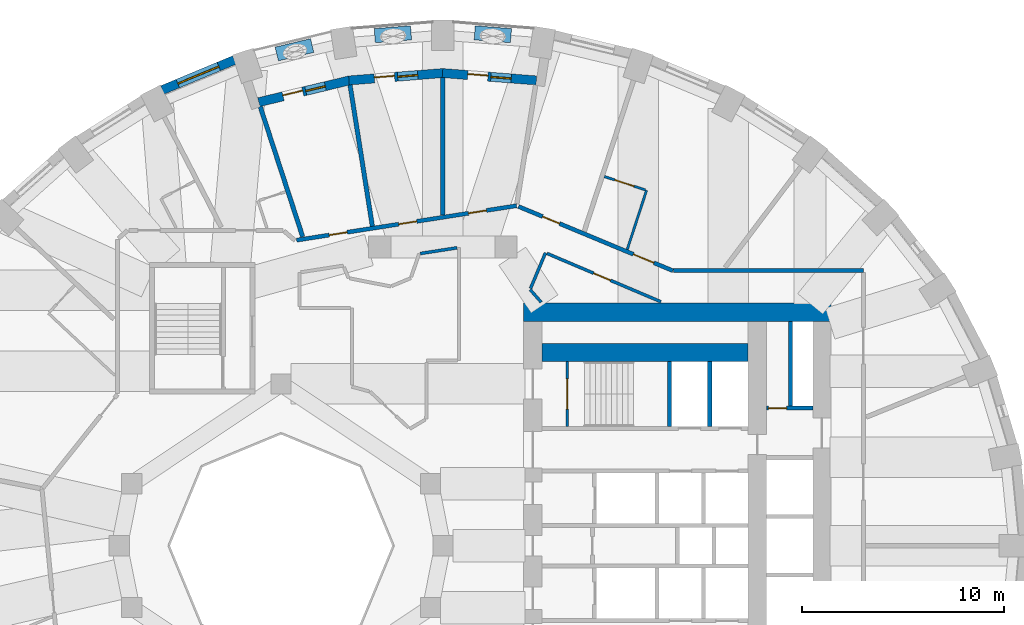
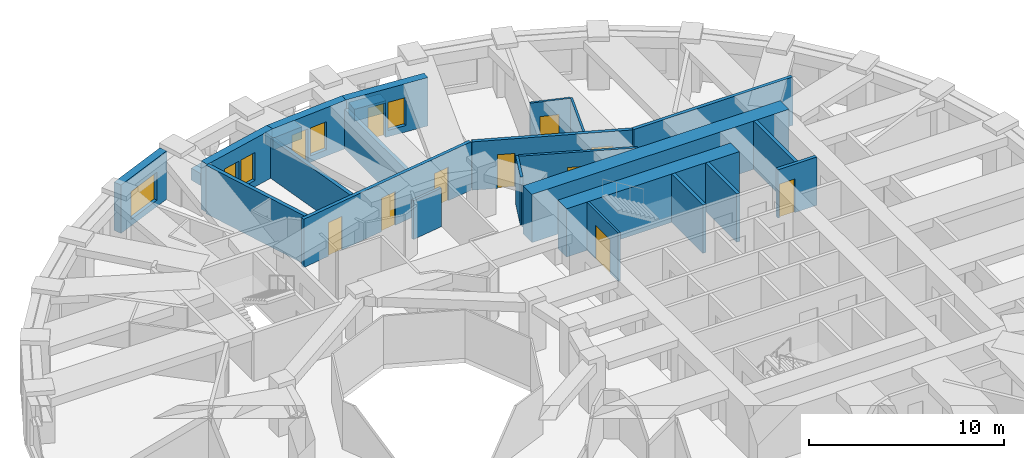
# One storey, part 8 of 13: 26 walls, 12 doors, 4 windows, 16 openings.
"""IFC4 building model written with IfcOpenShell, lengths in metres."""

import ifcopenshell
import ifcopenshell.guid

model = None  # the IFC model being written
_history = None  # IfcOwnerHistory: only IFC2X3 demands one
_inside = {}  # id of a spatial element -> (the spatial element, [elements in it])
_under = {}  # id of a project, library or spatial element -> (it, [spatial elements below it])
_declared = {}  # id of a project -> (the project, [libraries it declares])
_typed = {}  # id of a type object -> (the type object, [elements of that type])
_made_of = {}  # id of a material, layer set ... -> (it, [elements and type objects made of it])


def new_model(schema):
    """Start an empty IFC model of exactly this schema.

    Asked for "IFC4X3", IfcOpenShell would pick the latest addendum, in which some entities
    have other attributes; the version numbers below select the first issue.
    IFC2X3 requires an IfcOwnerHistory on every rooted entity: one is made here for all.
    """
    global model, _history
    if schema == "IFC4X3":
        model = ifcopenshell.file(schema_version=(4, 3, 0, 0))
    else:
        model = ifcopenshell.file(schema=schema)
    _inside.clear()
    _under.clear()
    _declared.clear()
    _typed.clear()
    _made_of.clear()
    _history = None
    if model.schema == "IFC2X3":
        org = make("IfcOrganization", Name="unknown")
        user = make(
            "IfcPersonAndOrganization",
            ThePerson=make("IfcPerson", FamilyName="unknown"),
            TheOrganization=org,
        )
        app = make(
            "IfcApplication",
            ApplicationDeveloper=org,
            Version="unknown",
            ApplicationFullName="unknown",
            ApplicationIdentifier="unknown",
        )
        _history = make(
            "IfcOwnerHistory",
            OwningUser=user,
            OwningApplication=app,
            ChangeAction="ADDED",
            CreationDate=0,
        )
    return model


def make(cls, **values):
    """One entity of the class cls with the attributes given. An attribute that is None is left unset."""
    return model.create_entity(
        cls, **{name: value for name, value in values.items() if value is not None}
    )


def rooted(cls, **values):
    """An entity with a GlobalId (a new one), such as an element, a storey or a relation."""
    return make(cls, GlobalId=ifcopenshell.guid.new(), OwnerHistory=_history, **values)


def si_unit(unit_type, name, prefix=None):
    """IfcSIUnit, for example si_unit("LENGTHUNIT", "METRE", prefix="MILLI")."""
    return make("IfcSIUnit", UnitType=unit_type, Prefix=prefix, Name=name)


def assignment(units):
    """IfcUnitAssignment: the units of a project."""
    return None if units is None else make("IfcUnitAssignment", Units=units)


def point(xyz):
    """IfcCartesianPoint."""
    return None if xyz is None else make("IfcCartesianPoint", Coordinates=xyz)


def direction(xyz):
    """IfcDirection."""
    return None if xyz is None else make("IfcDirection", DirectionRatios=xyz)


def frame(location, z_axis=None, x_axis=None):
    """IfcAxis2Placement3D, a coordinate frame: its origin and axes. An axis left out is left unset."""
    return make(
        "IfcAxis2Placement3D",
        Location=point(location),
        Axis=direction(z_axis),
        RefDirection=direction(x_axis),
    )


def frame_2d(location, x_axis=None):
    """IfcAxis2Placement2D, a coordinate frame in the plane: its origin and x axis."""
    return make(
        "IfcAxis2Placement2D", Location=point(location), RefDirection=direction(x_axis)
    )


def origin():
    """The frame at (0, 0, 0) with its axes left unset."""
    return frame((0.0, 0.0, 0.0))


def place(relative_to, where):
    """IfcLocalPlacement: puts the frame where relative to a parent placement (None: the world)."""
    return make(
        "IfcLocalPlacement", PlacementRelTo=relative_to, RelativePlacement=where
    )


def context(
    kind, dimensions, precision=None, world=None, true_north=None, identifier=None
):
    """IfcGeometricRepresentationContext, for example the 3D "Model" context."""
    return make(
        "IfcGeometricRepresentationContext",
        ContextIdentifier=identifier,
        ContextType=kind,
        CoordinateSpaceDimension=dimensions,
        Precision=precision,
        WorldCoordinateSystem=world,
        TrueNorth=true_north,
    )


def subcontext(parent, identifier, kind, view, scale=None):
    """IfcGeometricRepresentationSubContext, for example "Body" below "Model"."""
    return make(
        "IfcGeometricRepresentationSubContext",
        ContextIdentifier=identifier,
        ContextType=kind,
        ParentContext=parent,
        TargetScale=scale,
        TargetView=view,
    )


def project(units=None, contexts=None):
    """IfcProject with its units and contexts."""
    return rooted(
        "IfcProject",
        Name="project",
        RepresentationContexts=contexts,
        UnitsInContext=assignment(units),
    )


def spatial(cls, under=None, at=None, **own):
    """A site, building, storey or space (cls), placed at a placement, below another one or the project."""
    s = rooted(cls, ObjectPlacement=at, **own)
    if under is not None:
        _under.setdefault(under.id(), (under, []))[1].append(s)
    return s


def profile(cls, at=None, kind="AREA", **sizes):
    """A parametric profile (cls). Its sizes go by their IFC names, for example OverallWidth=200.0."""
    return make(cls, ProfileType=kind, Position=at, **sizes)


def rectangle(**sizes):
    """IfcRectangleProfileDef."""
    return profile("IfcRectangleProfileDef", **sizes)


def extrude(swept, where, along, depth):
    """IfcExtrudedAreaSolid: the profile swept, set in the frame where, extruded along a direction by depth."""
    return make(
        "IfcExtrudedAreaSolid",
        SweptArea=swept,
        Position=where,
        ExtrudedDirection=direction(along),
        Depth=depth,
    )


def shape(context_of_items, identifier, shape_type, items):
    """IfcShapeRepresentation: the items that make up one representation, for example the "Body"."""
    return make(
        "IfcShapeRepresentation",
        ContextOfItems=context_of_items,
        RepresentationIdentifier=identifier,
        RepresentationType=shape_type,
        Items=items,
    )


def material(Name=None, Category=None):
    """IfcMaterial."""
    return make("IfcMaterial", Name=Name, Category=Category)


def layer(
    of_material, thickness, ventilated=None, Name=None, Category=None, Priority=None
):
    """IfcMaterialLayer: one layer of a wall or slab, of a material (None: an air gap)."""
    return make(
        "IfcMaterialLayer",
        Material=of_material,
        LayerThickness=thickness,
        IsVentilated=ventilated,
        Name=Name,
        Category=Category,
        Priority=Priority,
    )


def layer_set(layers, Name=None):
    """IfcMaterialLayerSet."""
    return make("IfcMaterialLayerSet", MaterialLayers=layers, LayerSetName=Name)


def constituent(of_material, Name=None, Category=None, fraction=None):
    """IfcMaterialConstituent: one of the materials an element consists of."""
    return make(
        "IfcMaterialConstituent",
        Name=Name,
        Material=of_material,
        Fraction=fraction,
        Category=Category,
    )


def constituent_set(constituents=None, Name=None):
    """IfcMaterialConstituentSet."""
    return make(
        "IfcMaterialConstituentSet", Name=Name, MaterialConstituents=constituents
    )


def made_of(thing, what):
    """Note that an element or type object is made of a material, layer set ...; save() writes the relation."""
    if what is not None:
        _made_of.setdefault(what.id(), (what, []))[1].append(thing)
    return thing


def type_object(cls, material=None, **own):
    """A type object (cls), such as IfcWallType, which elements share."""
    return made_of(rooted(cls, **own), material)


def element(
    cls,
    number,
    at=None,
    inside=None,
    cuts=None,
    type_object=None,
    material=None,
    context=None,
    identifier="Body",
    shape_type=None,
    held_by="IfcProductDefinitionShape",
    body=None,
    shapes=None,
    **own,
):
    """One element of the class cls, such as IfcWall. Its Tag is "e" and its number.

    at: its placement. inside: the storey or other place that contains it. cuts: it is an
    opening in that element (IfcRelVoidsElement). A single representation is given by context,
    identifier, shape_type and body (its items); several are given by shapes. held_by: the class
    of the entity that holds the representations. save() writes the other relations.
    """
    e = rooted(cls, Tag="e%d" % number, ObjectPlacement=at, **own)
    if body is not None:
        shapes = [shape(context, identifier, shape_type, body)]
    if shapes is not None:
        e.Representation = make(held_by, Representations=shapes)
    if inside is not None:
        _inside.setdefault(inside.id(), (inside, []))[1].append(e)
    if cuts is not None:
        rooted(
            "IfcRelVoidsElement", RelatingBuildingElement=cuts, RelatedOpeningElement=e
        )
    if type_object is not None:
        _typed.setdefault(type_object.id(), (type_object, []))[1].append(e)
    return made_of(e, material)


def fill(opening, filler):
    """IfcRelFillsElement: the door or window that sits in an opening."""
    return rooted(
        "IfcRelFillsElement",
        RelatingOpeningElement=opening,
        RelatedBuildingElement=filler,
    )


def aggregate(whole, parts):
    """IfcRelAggregates: a whole, such as a stair, and the parts it consists of."""
    return rooted("IfcRelAggregates", RelatingObject=whole, RelatedObjects=parts)


def save(model, path):
    """Write the relations noted so far, then the file.

    IfcRelAggregates (storeys below a building ...), IfcRelContainedInSpatialStructure (elements
    in a storey), IfcRelDefinesByType, IfcRelAssociatesMaterial and IfcRelDeclares: one each for
    every whole, place, type object, material and project.
    """
    for whole, parts in _under.values():
        aggregate(whole, parts)
    for where, things in _inside.values():
        rooted(
            "IfcRelContainedInSpatialStructure",
            RelatedElements=things,
            RelatingStructure=where,
        )
    for kind, things in _typed.values():
        rooted("IfcRelDefinesByType", RelatedObjects=things, RelatingType=kind)
    for what, things in _made_of.values():
        rooted("IfcRelAssociatesMaterial", RelatedObjects=things, RelatingMaterial=what)
    for by, libraries in _declared.values():
        rooted("IfcRelDeclares", RelatingContext=by, RelatedDefinitions=libraries)
    model.write(path)


model = new_model("IFC4")

# Units and contexts
model_context = context("Model", 3, precision=1e-05, world=origin(), true_north=direction((0.0, 1.0)))
body_context = subcontext(model_context, "Body", "Model", "MODEL_VIEW")
ifc_project = project(units=[si_unit("LENGTHUNIT", "METRE"), si_unit("AREAUNIT", "SQUARE_METRE"), si_unit("VOLUMEUNIT", "CUBIC_METRE"), si_unit("PLANEANGLEUNIT", "RADIAN"), si_unit("MASSUNIT", "GRAM", prefix="KILO")], contexts=[model_context])

# Site, building, storey
site_placement = place(None, origin())
site = spatial("IfcSite", under=ifc_project, at=site_placement, CompositionType="ELEMENT")
building_placement = place(site_placement, origin())
building = spatial("IfcBuilding", under=site, at=building_placement, Name="Taillehof Tower", CompositionType="ELEMENT")
storey_placement = place(building_placement, frame((0.0, 0.0, 54.699951171875)))
storey = spatial("IfcBuildingStorey", under=building, at=storey_placement, Name="L14", CompositionType="ELEMENT", Elevation=54.699951171875)

# Wall, opening, window
ifc_material_1 = material(Name="Brick masonry", Category="masonry")
ifc_layer_1 = layer(ifc_material_1, 0.449951171875)
ifc_layer_set_1 = layer_set([ifc_layer_1], Name="Brick infill wall 450")
wall_type_1 = type_object("IfcWallType", Name="Brick infill wall 450", PredefinedType="SOLIDWALL", material=ifc_layer_set_1)
wall_1_placement = place(storey_placement, frame((-10.3154296875, 24.02099609375, 0.0), z_axis=(0.0, 0.0, 1.0), x_axis=(-0.923031964282, -0.384723267966, 0.0)))
wall_1 = element("IfcWall", 1, at=wall_1_placement, inside=storey, type_object=wall_type_1, Name="Brick wall L14 bay 12", PredefinedType="SOLIDWALL", context=body_context, shape_type="SweptSolid", body=[
    extrude(rectangle(XDim=3.8564453125, YDim=0.449951171875, at=frame_2d((1.92822265625, 0.0))), origin(), (0.0, 0.0, 1.0), 3.02001953125),
])
opening_1_placement = place(wall_1_placement, frame((0.828125, 0.0, 0.39990234375)))
opening_1 = element("IfcOpeningElement", 2, at=opening_1_placement, cuts=wall_1, Name="Opening W1", PredefinedType="OPENING", context=body_context, shape_type="SweptSolid", body=[
    extrude(rectangle(XDim=2.199951171875, YDim=1.75, at=frame_2d((1.10009765625, 0.875))), frame((0.0, 0.23486328125, 0.0), z_axis=(0.0, -1.0, 0.0), x_axis=(1.0, 0.0, 0.0)), (0.0, 0.0, 1.0), 0.469970703125),
])
ifc_material_2 = material(Name="Aluminium window frame with clear double glazing", Category="aluminium")
window_type_1 = type_object("IfcWindowType", Name="Deep-set window 2200x1750", PartitioningType="SINGLE_PANEL", PredefinedType="WINDOW", material=ifc_material_2)
window_1_placement = place(opening_1_placement, origin())
window_1 = element("IfcWindow", 3, at=window_1_placement, inside=storey, type_object=window_type_1, Name="W1", OverallHeight=1.75, OverallWidth=2.199951171875, PartitioningType="SINGLE_PANEL", PredefinedType="WINDOW", context=body_context, shape_type="SweptSolid", body=[
    extrude(rectangle(XDim=2.199951171875, YDim=1.75, at=frame_2d((1.10009765625, 0.875))), frame((0.0, 0.034912109375, 0.0), z_axis=(0.0, -1.0, 0.0), x_axis=(1.0, 0.0, 0.0)), (0.0, 0.0, 1.0), 0.06005859375),
])
fill(opening_1, window_1)

# Wall, openings, door, window
wall_2_placement = place(storey_placement, frame((4.625732421875, 23.011474609375, 0.0), z_axis=(0.0, 0.0, 1.0), x_axis=(-0.996937095772, 0.078207589615, 0.0)))
wall_2 = element("IfcWall", 4, at=wall_2_placement, inside=storey, type_object=wall_type_1, Name="Brick wall L14 pocket bay 9", PredefinedType="SOLIDWALL", context=body_context, shape_type="SweptSolid", body=[
    extrude(rectangle(XDim=4.657470703125, YDim=0.449951171875, at=frame_2d((2.32861328125, 0.0))), origin(), (0.0, 0.0, 1.0), 3.02001953125),
])
opening_2_placement = place(wall_2_placement, frame((1.25390625, 0.0, 0.39990234375)))
opening_2 = element("IfcOpeningElement", 5, at=opening_2_placement, cuts=wall_2, Name="Opening W5", PredefinedType="OPENING", context=body_context, shape_type="SweptSolid", body=[
    extrude(rectangle(XDim=1.0, YDim=1.75, at=frame_2d((0.5, 0.875))), frame((0.0, 0.23486328125, 0.0), z_axis=(0.0, -1.0, 0.0), x_axis=(1.0, 0.0, 0.0)), (0.0, 0.0, 1.0), 0.469970703125),
])
opening_3_placement = place(wall_2_placement, frame((2.40380859375, 0.0, 0.0)))
opening_3 = element("IfcOpeningElement", 6, at=opening_3_placement, cuts=wall_2, Name="Opening D1491", PredefinedType="OPENING", context=body_context, shape_type="SweptSolid", body=[
    extrude(rectangle(XDim=1.0, YDim=2.14990234375, at=frame_2d((0.5, 1.074951171875))), frame((0.0, 0.23486328125, 0.0), z_axis=(0.0, -1.0, 0.0), x_axis=(1.0, 0.0, 0.0)), (0.0, 0.0, 1.0), 0.469970703125),
])
ifc_material_3 = material(Name="Aluminium door frame with clear double glazing", Category="aluminium")
door_type_1 = type_object("IfcDoorType", Name="Balcony door 1000x2150", OperationType="SINGLE_SWING_RIGHT", PredefinedType="DOOR", material=ifc_material_3)
door_1_placement = place(opening_3_placement, frame((1.0, 0.0, 0.0), z_axis=(0.0, 0.0, 1.0), x_axis=(-1.0, 0.0, 0.0)))
door_1 = element("IfcDoor", 7, at=door_1_placement, inside=storey, type_object=door_type_1, Name="Balcony door L14 bay 9", OperationType="SINGLE_SWING_RIGHT", OverallHeight=2.14990234375, OverallWidth=1.0, PredefinedType="DOOR", context=body_context, shape_type="SweptSolid", body=[
    extrude(rectangle(XDim=1.0, YDim=2.14990234375, at=frame_2d((0.5, 1.074951171875))), frame((0.0, 0.0751953125, 0.0), z_axis=(0.0, -1.0, 0.0), x_axis=(1.0, 0.0, 0.0)), (0.0, 0.0, 1.0), 0.050048828125),
])
fill(opening_3, door_1)
ifc_material_4 = material(Name="Aluminium window frame with clear double glazing", Category="aluminium")
window_type_2 = type_object("IfcWindowType", Name="Fixed window 1000x1750", PartitioningType="SINGLE_PANEL", PredefinedType="WINDOW", material=ifc_material_4)
window_2_placement = place(opening_2_placement, origin())
window_2 = element("IfcWindow", 8, at=window_2_placement, inside=storey, type_object=window_type_2, Name="W5", OverallHeight=1.75, OverallWidth=1.0, PartitioningType="SINGLE_PANEL", PredefinedType="WINDOW", context=body_context, shape_type="SweptSolid", body=[
    extrude(rectangle(XDim=1.0, YDim=1.75, at=frame_2d((0.5, 0.875))), frame((0.0, 0.034912109375, 0.0), z_axis=(0.0, -1.0, 0.0), x_axis=(1.0, 0.0, 0.0)), (0.0, 0.0, 1.0), 0.06005859375),
])
fill(opening_2, window_2)

wall_3_placement = place(storey_placement, frame((0.017578125, 23.375732421875, 0.0), z_axis=(0.0, 0.0, 1.0), x_axis=(-0.996935982964, -0.078221773648, 0.0)))
wall_3 = element("IfcWall", 9, at=wall_3_placement, inside=storey, type_object=wall_type_1, Name="Brick wall L14 pocket bay 10", PredefinedType="SOLIDWALL", context=body_context, shape_type="SweptSolid", body=[
    extrude(rectangle(XDim=4.675537109375, YDim=0.449951171875, at=frame_2d((2.337890625, 0.0))), origin(), (0.0, 0.0, 1.0), 3.02001953125),
])
opening_4_placement = place(wall_3_placement, frame((1.2626953125, 0.0, 0.39990234375)))
opening_4 = element("IfcOpeningElement", 10, at=opening_4_placement, cuts=wall_3, Name="Opening W5", PredefinedType="OPENING", context=body_context, shape_type="SweptSolid", body=[
    extrude(rectangle(XDim=1.0, YDim=1.75, at=frame_2d((0.5, 0.875))), frame((0.0, 0.23486328125, 0.0), z_axis=(0.0, -1.0, 0.0), x_axis=(1.0, 0.0, 0.0)), (0.0, 0.0, 1.0), 0.469970703125),
])
opening_5_placement = place(wall_3_placement, frame((2.41259765625, 0.0, 0.0)))
opening_5 = element("IfcOpeningElement", 11, at=opening_5_placement, cuts=wall_3, Name="Opening D1492", PredefinedType="OPENING", context=body_context, shape_type="SweptSolid", body=[
    extrude(rectangle(XDim=1.0, YDim=2.14990234375, at=frame_2d((0.5, 1.074951171875))), frame((0.0, 0.23486328125, 0.0), z_axis=(0.0, -1.0, 0.0), x_axis=(1.0, 0.0, 0.0)), (0.0, 0.0, 1.0), 0.469970703125),
])
door_2_placement = place(opening_5_placement, frame((1.0, 0.0, 0.0), z_axis=(0.0, 0.0, 1.0), x_axis=(-1.0, 0.0, 0.0)))
door_2 = element("IfcDoor", 12, at=door_2_placement, inside=storey, type_object=door_type_1, Name="Balcony door L14 bay 10", OperationType="SINGLE_SWING_LEFT", OverallHeight=2.14990234375, OverallWidth=1.0, PredefinedType="DOOR", context=body_context, shape_type="SweptSolid", body=[
    extrude(rectangle(XDim=1.0, YDim=2.14990234375, at=frame_2d((0.5, 1.074951171875))), frame((0.0, 0.0751953125, 0.0), z_axis=(0.0, -1.0, 0.0), x_axis=(1.0, 0.0, 0.0)), (0.0, 0.0, 1.0), 0.050048828125),
])
fill(opening_5, door_2)
window_3_placement = place(opening_4_placement, origin())
window_3 = element("IfcWindow", 13, at=window_3_placement, inside=storey, type_object=window_type_2, Name="W5", OverallHeight=1.75, OverallWidth=1.0, PartitioningType="SINGLE_PANEL", PredefinedType="WINDOW", context=body_context, shape_type="SweptSolid", body=[
    extrude(rectangle(XDim=1.0, YDim=1.75, at=frame_2d((0.5, 0.875))), frame((0.0, 0.034912109375, 0.0), z_axis=(0.0, -1.0, 0.0), x_axis=(1.0, 0.0, 0.0)), (0.0, 0.0, 1.0), 0.06005859375),
])
fill(opening_4, window_3)

wall_4_placement = place(storey_placement, frame((-4.6083984375, 23.015625, 0.0), z_axis=(0.0, 0.0, 1.0), x_axis=(-0.972343667289, -0.233554688847, 0.0)))
wall_4 = element("IfcWall", 14, at=wall_4_placement, inside=storey, type_object=wall_type_1, Name="Brick wall L14 pocket bay 11", PredefinedType="SOLIDWALL", context=body_context, shape_type="SweptSolid", body=[
    extrude(rectangle(XDim=4.62353515625, YDim=0.449951171875, at=frame_2d((2.311767578125, 0.0))), origin(), (0.0, 0.0, 1.0), 3.02001953125),
])
opening_6_placement = place(wall_4_placement, frame((1.23681640625, 0.0, 0.39990234375)))
opening_6 = element("IfcOpeningElement", 15, at=opening_6_placement, cuts=wall_4, Name="Opening W5", PredefinedType="OPENING", context=body_context, shape_type="SweptSolid", body=[
    extrude(rectangle(XDim=1.0, YDim=1.75, at=frame_2d((0.5, 0.875))), frame((0.0, 0.23486328125, 0.0), z_axis=(0.0, -1.0, 0.0), x_axis=(1.0, 0.0, 0.0)), (0.0, 0.0, 1.0), 0.469970703125),
])
opening_7_placement = place(wall_4_placement, frame((2.38671875, 0.0, 0.0)))
opening_7 = element("IfcOpeningElement", 16, at=opening_7_placement, cuts=wall_4, Name="Opening D1493", PredefinedType="OPENING", context=body_context, shape_type="SweptSolid", body=[
    extrude(rectangle(XDim=1.0, YDim=2.14990234375, at=frame_2d((0.5, 1.074951171875))), frame((0.0, 0.23486328125, 0.0), z_axis=(0.0, -1.0, 0.0), x_axis=(1.0, 0.0, 0.0)), (0.0, 0.0, 1.0), 0.469970703125),
])
door_3_placement = place(opening_7_placement, frame((1.0, 0.0, 0.0), z_axis=(0.0, 0.0, 1.0), x_axis=(-1.0, 0.0, 0.0)))
door_3 = element("IfcDoor", 17, at=door_3_placement, inside=storey, type_object=door_type_1, Name="Balcony door L14 bay 11", OperationType="SINGLE_SWING_LEFT", OverallHeight=2.14990234375, OverallWidth=1.0, PredefinedType="DOOR", context=body_context, shape_type="SweptSolid", body=[
    extrude(rectangle(XDim=1.0, YDim=2.14990234375, at=frame_2d((0.5, 1.074951171875))), frame((0.0, 0.0751953125, 0.0), z_axis=(0.0, -1.0, 0.0), x_axis=(1.0, 0.0, 0.0)), (0.0, 0.0, 1.0), 0.050048828125),
])
fill(opening_7, door_3)
window_4_placement = place(opening_6_placement, origin())
window_4 = element("IfcWindow", 18, at=window_4_placement, inside=storey, type_object=window_type_2, Name="W5", OverallHeight=1.75, OverallWidth=1.0, PartitioningType="SINGLE_PANEL", PredefinedType="WINDOW", context=body_context, shape_type="SweptSolid", body=[
    extrude(rectangle(XDim=1.0, YDim=1.75, at=frame_2d((0.5, 0.875))), frame((0.0, 0.034912109375, 0.0), z_axis=(0.0, -1.0, 0.0), x_axis=(1.0, 0.0, 0.0)), (0.0, 0.0, 1.0), 0.06005859375),
])
fill(opening_6, window_4)

# Wall, opening, door
ifc_material_5 = material(Name="Calcium silicate masonry", Category="masonry")
ifc_layer_2 = layer(ifc_material_5, 0.199951171875)
ifc_layer_set_2 = layer_set([ifc_layer_2], Name="Compartment wall calcium silicate 200")
wall_type_2 = type_object("IfcWallType", Name="Compartment wall calcium silicate 200", PredefinedType="PARTITIONING", material=ifc_layer_set_2)
wall_5_placement = place(storey_placement, frame((16.0, 6.800048828125, 0.0), z_axis=(0.0, 0.0, 1.0), x_axis=(1.0, 0.0, 0.0)))
wall_5 = element("IfcWall", 19, at=wall_5_placement, inside=storey, type_object=wall_type_2, Name="Compartment wall FW", PredefinedType="PARTITIONING", context=body_context, shape_type="SweptSolid", body=[
    extrude(rectangle(XDim=2.300048828125, YDim=0.199951171875, at=frame_2d((1.14990234375, 0.0))), origin(), (0.0, 0.0, 1.0), 3.02001953125),
])
opening_8_placement = place(wall_5_placement, frame((0.10009765625, 0.0, 0.0)))
opening_8 = element("IfcOpeningElement", 20, at=opening_8_placement, cuts=wall_5, Name="Opening D1416", PredefinedType="OPENING", context=body_context, shape_type="SweptSolid", body=[
    extrude(rectangle(XDim=0.89990234375, YDim=2.10009765625, at=frame_2d((0.449951171875, 1.050048828125))), frame((0.0, 0.10986328125, 0.0), z_axis=(0.0, -1.0, 0.0), x_axis=(1.0, 0.0, 0.0)), (0.0, 0.0, 1.0), 0.219970703125),
])
ifc_material_6 = material(Name="Steel-faced fire door", Category="steel")
door_type_2 = type_object("IfcDoorType", Name="Riser and service room door 900x2100", OperationType="SINGLE_SWING_LEFT", PredefinedType="DOOR", material=ifc_material_6)
door_4_placement = place(opening_8_placement, origin())
door_4 = element("IfcDoor", 21, at=door_4_placement, inside=storey, type_object=door_type_2, Name="Door Pump Room", OperationType="SINGLE_SWING_RIGHT", OverallHeight=2.10009765625, OverallWidth=0.89990234375, PredefinedType="DOOR", context=body_context, shape_type="SweptSolid", body=[
    extrude(rectangle(XDim=0.89990234375, YDim=2.10009765625, at=frame_2d((0.449951171875, 1.050048828125))), frame((0.0, 0.02490234375, 0.0), z_axis=(0.0, -1.0, 0.0), x_axis=(1.0, 0.0, 0.0)), (0.0, 0.0, 1.0), 0.050048828125),
])
fill(opening_8, door_4)

# Wall
wall_6_placement = place(storey_placement, frame((17.199951171875, 6.89990234375, 0.0), z_axis=(0.0, 0.0, 1.0), x_axis=(0.0, 1.0, 0.0)))
element("IfcWall", 22, at=wall_6_placement, inside=storey, type_object=wall_type_2, Name="Compartment wall FW", PredefinedType="PARTITIONING", context=body_context, shape_type="SweptSolid", body=[
    extrude(rectangle(XDim=4.2001953125, YDim=0.199951171875, at=frame_2d((2.10009765625, 0.0))), origin(), (0.0, 0.0, 1.0), 3.02001953125),
])

# Wall, openings, doors
ifc_material_7 = material(Name="Gypsum board on steel studs, two layers each side", Category="steel")
ifc_layer_3 = layer(ifc_material_7, 0.199951171875)
ifc_layer_set_3 = layer_set([ifc_layer_3], Name="Compartment wall corridor 200")
wall_type_3 = type_object("IfcWallType", Name="Compartment wall corridor 200", PredefinedType="PARTITIONING", material=ifc_layer_set_3)
wall_7_placement = place(storey_placement, frame((-7.233642578125, 15.1103515625, 0.0), z_axis=(0.0, 0.0, 1.0), x_axis=(0.987957763282, 0.154723811906, 0.0)))
wall_7 = element("IfcWall", 23, at=wall_7_placement, inside=storey, type_object=wall_type_3, Name="Compartment wall", PredefinedType="PARTITIONING", context=body_context, shape_type="SweptSolid", body=[
    extrude(rectangle(XDim=11.01220703125, YDim=0.199951171875, at=frame_2d((5.506103515625, 0.0))), origin(), (0.0, 0.0, 1.0), 3.02001953125),
])
opening_9_placement = place(wall_7_placement, frame((8.604736328125, 0.0, 0.0)))
opening_9 = element("IfcOpeningElement", 24, at=opening_9_placement, cuts=wall_7, Name="Opening D1443", PredefinedType="OPENING", context=body_context, shape_type="SweptSolid", body=[
    extrude(rectangle(XDim=0.89990234375, YDim=2.10009765625, at=frame_2d((0.449951171875, 1.050048828125))), frame((0.0, 0.10986328125, 0.0), z_axis=(0.0, -1.0, 0.0), x_axis=(1.0, 0.0, 0.0)), (0.0, 0.0, 1.0), 0.219970703125),
])
opening_10_placement = place(wall_7_placement, frame((5.11572265625, 0.0, 0.0)))
opening_10 = element("IfcOpeningElement", 25, at=opening_10_placement, cuts=wall_7, Name="Opening D1444", PredefinedType="OPENING", context=body_context, shape_type="SweptSolid", body=[
    extrude(rectangle(XDim=0.89990234375, YDim=2.10009765625, at=frame_2d((0.449951171875, 1.050048828125))), frame((0.0, 0.10986328125, 0.0), z_axis=(0.0, -1.0, 0.0), x_axis=(1.0, 0.0, 0.0)), (0.0, 0.0, 1.0), 0.219970703125),
])
opening_11_placement = place(wall_7_placement, frame((1.62646484375, 0.0, 0.0)))
opening_11 = element("IfcOpeningElement", 26, at=opening_11_placement, cuts=wall_7, Name="Opening D1445", PredefinedType="OPENING", context=body_context, shape_type="SweptSolid", body=[
    extrude(rectangle(XDim=0.89990234375, YDim=2.10009765625, at=frame_2d((0.449951171875, 1.050048828125))), frame((0.0, 0.10986328125, 0.0), z_axis=(0.0, -1.0, 0.0), x_axis=(1.0, 0.0, 0.0)), (0.0, 0.0, 1.0), 0.219970703125),
])
ifc_material_8 = material(Name="Timber door leaf in steel frame", Category="steel")
door_type_3 = type_object("IfcDoorType", Name="Service room door EI 30 900 x 2100", OperationType="SINGLE_SWING_LEFT", PredefinedType="DOOR", material=ifc_material_8)
door_5_placement = place(opening_9_placement, origin())
door_5 = element("IfcDoor", 27, at=door_5_placement, inside=storey, type_object=door_type_3, Name="D1443", OperationType="SINGLE_SWING_LEFT", OverallHeight=2.10009765625, OverallWidth=0.89990234375, PredefinedType="DOOR", context=body_context, shape_type="SweptSolid", body=[
    extrude(rectangle(XDim=0.89990234375, YDim=2.10009765625, at=frame_2d((0.449951171875, 1.050048828125))), frame((0.0, 0.02490234375, 0.0), z_axis=(0.0, -1.0, 0.0), x_axis=(1.0, 0.0, 0.0)), (0.0, 0.0, 1.0), 0.050048828125),
])
fill(opening_9, door_5)
door_6_placement = place(opening_10_placement, origin())
door_6 = element("IfcDoor", 28, at=door_6_placement, inside=storey, type_object=door_type_3, Name="D1444", OperationType="SINGLE_SWING_LEFT", OverallHeight=2.10009765625, OverallWidth=0.89990234375, PredefinedType="DOOR", context=body_context, shape_type="SweptSolid", body=[
    extrude(rectangle(XDim=0.89990234375, YDim=2.10009765625, at=frame_2d((0.449951171875, 1.050048828125))), frame((0.0, 0.02490234375, 0.0), z_axis=(0.0, -1.0, 0.0), x_axis=(1.0, 0.0, 0.0)), (0.0, 0.0, 1.0), 0.050048828125),
])
fill(opening_10, door_6)
door_7_placement = place(opening_11_placement, origin())
door_7 = element("IfcDoor", 29, at=door_7_placement, inside=storey, type_object=door_type_3, Name="D1445", OperationType="SINGLE_SWING_RIGHT", OverallHeight=2.10009765625, OverallWidth=0.89990234375, PredefinedType="DOOR", context=body_context, shape_type="SweptSolid", body=[
    extrude(rectangle(XDim=0.89990234375, YDim=2.10009765625, at=frame_2d((0.449951171875, 1.050048828125))), frame((0.0, 0.02490234375, 0.0), z_axis=(0.0, -1.0, 0.0), x_axis=(1.0, 0.0, 0.0)), (0.0, 0.0, 1.0), 0.050048828125),
])
fill(opening_11, door_7)

wall_8_placement = place(storey_placement, frame((3.73876953125, 16.7763671875, 0.0), z_axis=(0.0, 0.0, 1.0), x_axis=(0.923364778497, -0.383923802117, 0.0)))
wall_8 = element("IfcWall", 30, at=wall_8_placement, inside=storey, type_object=wall_type_3, Name="Compartment wall", PredefinedType="PARTITIONING", context=body_context, shape_type="SweptSolid", body=[
    extrude(rectangle(XDim=8.273193359375, YDim=0.199951171875, at=frame_2d((4.13671875, 0.0))), origin(), (0.0, 0.0, 1.0), 3.02001953125),
])
opening_12_placement = place(wall_8_placement, frame((6.152587890625, 0.0, 0.0)))
opening_12 = element("IfcOpeningElement", 31, at=opening_12_placement, cuts=wall_8, Name="Opening D1440", PredefinedType="OPENING", context=body_context, shape_type="SweptSolid", body=[
    extrude(rectangle(XDim=1.10009765625, YDim=2.10009765625, at=frame_2d((0.550048828125, 1.050048828125))), frame((0.0, 0.10986328125, 0.0), z_axis=(0.0, -1.0, 0.0), x_axis=(1.0, 0.0, 0.0)), (0.0, 0.0, 1.0), 0.219970703125),
])
opening_13_placement = place(wall_8_placement, frame((1.2978515625, 0.0, 0.0)))
opening_13 = element("IfcOpeningElement", 32, at=opening_13_placement, cuts=wall_8, Name="Opening D1442", PredefinedType="OPENING", context=body_context, shape_type="SweptSolid", body=[
    extrude(rectangle(XDim=0.89990234375, YDim=2.10009765625, at=frame_2d((0.449951171875, 1.050048828125))), frame((0.0, 0.10986328125, 0.0), z_axis=(0.0, -1.0, 0.0), x_axis=(1.0, 0.0, 0.0)), (0.0, 0.0, 1.0), 0.219970703125),
])
ifc_material_9 = material(Name="Timber door leaf in steel frame", Category="steel")
door_type_4 = type_object("IfcDoorType", Name="Accessible guest room door EI 30 1100 x 2100", OperationType="SINGLE_SWING_LEFT", PredefinedType="DOOR", material=ifc_material_9)
door_8_placement = place(opening_12_placement, origin())
door_8 = element("IfcDoor", 33, at=door_8_placement, inside=storey, type_object=door_type_4, Name="D1440", OperationType="SINGLE_SWING_LEFT", OverallHeight=2.10009765625, OverallWidth=1.10009765625, PredefinedType="DOOR", context=body_context, shape_type="SweptSolid", body=[
    extrude(rectangle(XDim=1.10009765625, YDim=2.10009765625, at=frame_2d((0.550048828125, 1.050048828125))), frame((0.0, 0.02490234375, 0.0), z_axis=(0.0, -1.0, 0.0), x_axis=(1.0, 0.0, 0.0)), (0.0, 0.0, 1.0), 0.050048828125),
])
fill(opening_12, door_8)
door_9_placement = place(opening_13_placement, origin())
door_9 = element("IfcDoor", 34, at=door_9_placement, inside=storey, type_object=door_type_3, Name="D1442", OperationType="SINGLE_SWING_RIGHT", OverallHeight=2.10009765625, OverallWidth=0.89990234375, PredefinedType="DOOR", context=body_context, shape_type="SweptSolid", body=[
    extrude(rectangle(XDim=0.89990234375, YDim=2.10009765625, at=frame_2d((0.449951171875, 1.050048828125))), frame((0.0, 0.02490234375, 0.0), z_axis=(0.0, -1.0, 0.0), x_axis=(1.0, 0.0, 0.0)), (0.0, 0.0, 1.0), 0.050048828125),
])
fill(opening_13, door_9)

# Walls
wall_9_placement = place(storey_placement, frame((11.41796875, 13.60009765625, 0.0), z_axis=(0.0, 0.0, 1.0), x_axis=(1.0, 0.0, 0.0)))
element("IfcWall", 35, at=wall_9_placement, inside=storey, type_object=wall_type_3, Name="Compartment wall", PredefinedType="PARTITIONING", context=body_context, shape_type="SweptSolid", body=[
    extrude(rectangle(XDim=9.382080078125, YDim=0.199951171875, at=frame_2d((4.69091796875, 0.0))), origin(), (0.0, 0.0, 1.0), 3.02001953125),
])
ifc_material_10 = material(Name="Gypsum board on double steel studs with mineral wool", Category="steel")
ifc_layer_4 = layer(ifc_material_10, 0.219970703125)
ifc_layer_set_4 = layer_set([ifc_layer_4], Name="Compartment wall guest room 220")
wall_type_4 = type_object("IfcWallType", Name="Compartment wall guest room 220", PredefinedType="PARTITIONING", material=ifc_layer_set_4)
wall_10_placement = place(storey_placement, frame((0.0, 23.148681640625, 0.0), z_axis=(0.0, 0.0, 1.0), x_axis=(0.0, -1.0, 0.0)))
element("IfcWall", 36, at=wall_10_placement, inside=storey, type_object=wall_type_4, Name="Compartment wall", PredefinedType="PARTITIONING", context=body_context, shape_type="SweptSolid", body=[
    extrude(rectangle(XDim=6.784423828125, YDim=0.219970703125, at=frame_2d((3.39208984375, 0.0))), origin(), (0.0, 0.0, 1.0), 2.469970703125),
])
wall_11_placement = place(storey_placement, frame((-4.590576171875, 22.78857421875, 0.0), z_axis=(0.0, 0.0, 1.0), x_axis=(0.15613617795, -0.987735538459, 0.0)))
element("IfcWall", 37, at=wall_11_placement, inside=storey, type_object=wall_type_4, Name="Compartment wall", PredefinedType="PARTITIONING", context=body_context, shape_type="SweptSolid", body=[
    extrude(rectangle(XDim=7.0771484375, YDim=0.219970703125, at=frame_2d((3.53857421875, 0.0))), origin(), (0.0, 0.0, 1.0), 2.469970703125),
])
wall_12_placement = place(storey_placement, frame((-9.033935546875, 21.72119140625, 0.0), z_axis=(0.0, 0.0, 1.0), x_axis=(0.310212430052, -0.950667264736, 0.0)))
element("IfcWall", 38, at=wall_12_placement, inside=storey, type_object=wall_type_4, Name="Compartment wall", PredefinedType="PARTITIONING", context=body_context, shape_type="SweptSolid", body=[
    extrude(rectangle(XDim=6.77685546875, YDim=0.219970703125, at=frame_2d((3.388427734375, 0.0))), origin(), (0.0, 0.0, 1.0), 3.02001953125),
])
ifc_material_11 = material(Name="Gypsum board on steel studs, two layers each side", Category="steel")
ifc_layer_5 = layer(ifc_material_11, 0.14990234375)
ifc_layer_set_5 = layer_set([ifc_layer_5], Name="Compartment wall service room 150")
wall_type_5 = type_object("IfcWallType", Name="Compartment wall service room 150", PredefinedType="PARTITIONING", material=ifc_layer_set_5)
wall_13_placement = place(storey_placement, frame((-1.116455078125, 14.448974609375, 0.0), z_axis=(0.0, 0.0, 1.0), x_axis=(0.988017726025, 0.154340445315, 0.0)))
element("IfcWall", 39, at=wall_13_placement, inside=storey, type_object=wall_type_5, Name="Compartment wall", PredefinedType="PARTITIONING", context=body_context, shape_type="SweptSolid", body=[
    extrude(rectangle(XDim=1.839599609375, YDim=0.14990234375, at=frame_2d((0.919921875, 0.0))), origin(), (0.0, 0.0, 1.0), 2.420166015625),
])
wall_14_placement = place(storey_placement, frame((4.864501953125, 12.04150390625, 0.0), z_axis=(0.0, 0.0, 1.0), x_axis=(-0.660014599896, 0.751252772323, 0.0)))
element("IfcWall", 40, at=wall_14_placement, inside=storey, type_object=wall_type_5, Name="Compartment wall", PredefinedType="PARTITIONING", context=body_context, shape_type="SweptSolid", body=[
    extrude(rectangle(XDim=0.8349609375, YDim=0.14990234375, at=frame_2d((0.41748046875, 0.0))), origin(), (0.0, 0.0, 1.0), 2.570068359375),
])
wall_15_placement = place(storey_placement, frame((4.3369140625, 12.724365234375, 0.0), z_axis=(0.0, 0.0, 1.0), x_axis=(0.386537433901, 0.922273718694, 0.0)))
element("IfcWall", 41, at=wall_15_placement, inside=storey, type_object=wall_type_5, Name="Compartment wall", PredefinedType="PARTITIONING", context=body_context, shape_type="SweptSolid", body=[
    extrude(rectangle(XDim=1.9111328125, YDim=0.14990234375, at=frame_2d((0.95556640625, 0.0))), origin(), (0.0, 0.0, 1.0), 3.02001953125),
])

# Wall, opening, door
wall_16_placement = place(storey_placement, frame((5.14892578125, 14.455810546875, 0.0), z_axis=(0.0, 0.0, 1.0), x_axis=(0.920541383735, -0.390645057348, 0.0)))
wall_16 = element("IfcWall", 42, at=wall_16_placement, inside=storey, type_object=wall_type_5, Name="Compartment wall", PredefinedType="PARTITIONING", context=body_context, shape_type="SweptSolid", body=[
    extrude(rectangle(XDim=6.1240234375, YDim=0.14990234375, at=frame_2d((3.06201171875, 0.0))), origin(), (0.0, 0.0, 1.0), 3.02001953125),
])
opening_14_placement = place(wall_16_placement, frame((2.508056640625, 0.0, 0.0)))
opening_14 = element("IfcOpeningElement", 43, at=opening_14_placement, cuts=wall_16, Name="Opening D1469", PredefinedType="OPENING", context=body_context, shape_type="SweptSolid", body=[
    extrude(rectangle(XDim=0.89990234375, YDim=2.10009765625, at=frame_2d((0.449951171875, 1.050048828125))), frame((0.0, 0.0849609375, 0.0), z_axis=(0.0, -1.0, 0.0), x_axis=(1.0, 0.0, 0.0)), (0.0, 0.0, 1.0), 0.169921875),
])
door_10_placement = place(opening_14_placement, origin())
door_10 = element("IfcDoor", 44, at=door_10_placement, inside=storey, type_object=door_type_3, Name="D1469", OperationType="SINGLE_SWING_RIGHT", OverallHeight=2.10009765625, OverallWidth=0.89990234375, PredefinedType="DOOR", context=body_context, shape_type="SweptSolid", body=[
    extrude(rectangle(XDim=0.89990234375, YDim=2.10009765625, at=frame_2d((0.449951171875, 1.050048828125))), frame((0.0, 0.02490234375, 0.0), z_axis=(0.0, -1.0, 0.0), x_axis=(1.0, 0.0, 0.0)), (0.0, 0.0, 1.0), 0.050048828125),
])
fill(opening_14, door_10)

# Walls
ifc_material_12 = material(Name="Concrete C80/95", Category="concrete")
ifc_layer_6 = layer(ifc_material_12, 0.89990234375)
ifc_layer_set_6 = layer_set([ifc_layer_6], Name="Core wall C80/95 900")
wall_type_6 = type_object("IfcWallType", Name="Core wall C80/95 900", PredefinedType="SHEAR", material=ifc_layer_set_6)
wall_17_placement = place(storey_placement, frame((4.0, 11.550048828125, 0.0), z_axis=(0.0, 0.0, 1.0), x_axis=(1.0, 0.0, 0.0)))
element("IfcWall", 45, at=wall_17_placement, inside=storey, type_object=wall_type_6, Name="Core wall CW03", PredefinedType="SHEAR", context=body_context, shape_type="SweptSolid", body=[
    extrude(rectangle(XDim=15.199951171875, YDim=0.89990234375, at=frame_2d((7.60009765625, 0.0))), origin(), (0.0, 0.0, 1.0), 3.02001953125),
])
wall_18_placement = place(storey_placement, frame((4.89990234375, 9.550048828125, 0.0), z_axis=(0.0, 0.0, 1.0), x_axis=(1.0, 0.0, 0.0)))
element("IfcWall", 46, at=wall_18_placement, inside=storey, type_object=wall_type_6, Name="Core wall CW06", PredefinedType="SHEAR", context=body_context, shape_type="SweptSolid", body=[
    extrude(rectangle(XDim=10.2001953125, YDim=0.89990234375, at=frame_2d((5.10009765625, 0.0))), origin(), (0.0, 0.0, 1.0), 3.02001953125),
])
ifc_material_13 = material(Name="Gypsum board on steel studs, moisture resistant", Category="steel")
ifc_layer_7 = layer(ifc_material_13, 0.1201171875)
ifc_layer_set_7 = layer_set([ifc_layer_7], Name="En-suite wall 120")
wall_type_7 = type_object("IfcWallType", Name="En-suite wall 120", PredefinedType="PARTITIONING", material=ifc_layer_set_7)
wall_19_placement = place(storey_placement, frame((9.118408203125, 14.647705078125, 0.0), z_axis=(0.0, 0.0, 1.0), x_axis=(0.310277544614, 0.950646014723, 0.0)))
element("IfcWall", 47, at=wall_19_placement, inside=storey, type_object=wall_type_7, Name="En-suite wall", PredefinedType="PARTITIONING", context=body_context, shape_type="SweptSolid", body=[
    extrude(rectangle(XDim=3.08056640625, YDim=0.1201171875, at=frame_2d((1.540283203125, 0.0))), origin(), (0.0, 0.0, 1.0), 3.02001953125),
])

# Wall, opening, door
wall_20_placement = place(storey_placement, frame((10.01708984375, 17.594482421875, 0.0), z_axis=(0.0, 0.0, 1.0), x_axis=(-0.950613738429, 0.310376417129, 0.0)))
wall_20 = element("IfcWall", 48, at=wall_20_placement, inside=storey, type_object=wall_type_7, Name="En-suite wall", PredefinedType="PARTITIONING", context=body_context, shape_type="SweptSolid", body=[
    extrude(rectangle(XDim=2.130126953125, YDim=0.1201171875, at=frame_2d((1.06494140625, 0.0))), origin(), (0.0, 0.0, 1.0), 3.02001953125),
])
opening_15_placement = place(wall_20_placement, frame((0.590087890625, 0.0, 0.0)))
opening_15 = element("IfcOpeningElement", 49, at=opening_15_placement, cuts=wall_20, Name="Opening D1441", PredefinedType="OPENING", context=body_context, shape_type="SweptSolid", body=[
    extrude(rectangle(XDim=1.0, YDim=2.10009765625, at=frame_2d((0.5, 1.050048828125))), frame((0.0, 0.070068359375, 0.0), z_axis=(0.0, -1.0, 0.0), x_axis=(1.0, 0.0, 0.0)), (0.0, 0.0, 1.0), 0.14013671875),
])
ifc_material_14 = material(Name="Timber door leaf in steel frame", Category="steel")
door_type_5 = type_object("IfcDoorType", Name="Accessible en-suite door 1000 x 2100", OperationType="SINGLE_SWING_LEFT", PredefinedType="DOOR", material=ifc_material_14)
door_11_placement = place(opening_15_placement, origin())
door_11 = element("IfcDoor", 50, at=door_11_placement, inside=storey, type_object=door_type_5, Name="D1441", OperationType="SINGLE_SWING_LEFT", OverallHeight=2.10009765625, OverallWidth=1.0, PredefinedType="DOOR", context=body_context, shape_type="SweptSolid", body=[
    extrude(rectangle(XDim=1.0, YDim=2.10009765625, at=frame_2d((0.5, 1.050048828125))), frame((0.0, 0.02490234375, 0.0), z_axis=(0.0, -1.0, 0.0), x_axis=(1.0, 0.0, 0.0)), (0.0, 0.0, 1.0), 0.050048828125),
])
fill(opening_15, door_11)

# Walls
ifc_material_15 = material(Name="Concrete C30/37 precast", Category="concrete")
ifc_constituent_1 = constituent(ifc_material_15, Name="Structure", Category="concrete")
ifc_material_16 = material(Name="Insulated lining")
ifc_constituent_2 = constituent(ifc_material_16, Name="Lining")
ifc_constituent_set = constituent_set(constituents=[ifc_constituent_1, ifc_constituent_2], Name="Planter trough 700x750")
wall_type_8 = type_object("IfcWallType", Name="Planter trough 700x750", PredefinedType="USERDEFINED", material=ifc_constituent_set)
for number, where, z_axis, x_axis, name in (
    (51, (3.368896484375, 25.22509765625, 0.0), (0.0, 0.0, 1.0), (-0.996965267018, 0.077847648384, 0.0), "Planter L14 bay 9"),
    (52, (-1.57421875, 25.365234375, 0.0), (0.0, 0.0, 1.0), (-0.996965267018, -0.077847648384, 0.0), "Planter L14 bay 10"),
    (53, (-6.464599609375, 24.7373046875, 0.0), (0.0, 0.0, 1.0), (-0.972504142103, -0.232885580473, 0.0), "Planter L14 bay 11"),
):
    element("IfcWall", number, at=place(storey_placement, frame(where, z_axis=z_axis, x_axis=x_axis)), inside=storey, type_object=wall_type_8, Name=name, ObjectType="PLANTER", PredefinedType="USERDEFINED", context=body_context, shape_type="SweptSolid", body=[
        extrude(rectangle(XDim=1.800048828125, YDim=0.699951171875, at=frame_2d((0.89990234375, 0.0))), origin(), (0.0, 0.0, 1.0), 0.75),
    ])
ifc_material_17 = material(Name="Concrete C50/60", Category="concrete")
ifc_layer_8 = layer(ifc_material_17, 0.199951171875)
ifc_layer_set_8 = layer_set([ifc_layer_8], Name="Shaft wall C50/60 200")
wall_type_9 = type_object("IfcWallType", Name="Shaft wall C50/60 200", PredefinedType="SHEAR", material=ifc_layer_set_8)
for number, where, z_axis, x_axis, name in (
    (54, (11.199951171875, 5.89990234375, 0.0), (0.0, 0.0, 1.0), (0.0, 1.0, 0.0), "Shaft wall SW"),
    (55, (13.199951171875, 5.89990234375, 0.0), (0.0, 0.0, 1.0), (0.0, 1.0, 0.0), "Shaft wall SW"),
):
    element("IfcWall", number, at=place(storey_placement, frame(where, z_axis=z_axis, x_axis=x_axis)), inside=storey, type_object=wall_type_9, Name=name, PredefinedType="SHEAR", context=body_context, shape_type="SweptSolid", body=[
        extrude(rectangle(XDim=3.2001953125, YDim=0.199951171875, at=frame_2d((1.60009765625, 0.0))), origin(), (0.0, 0.0, 1.0), 3.02001953125),
    ])

# Wall, opening, door
ifc_material_18 = material(Name="Concrete C50/60", Category="concrete")
ifc_layer_9 = layer(ifc_material_18, 0.1201171875)
ifc_layer_set_9 = layer_set([ifc_layer_9], Name="Stair lobby wall C50/60 120")
wall_type_10 = type_object("IfcWallType", Name="Stair lobby wall C50/60 120", PredefinedType="SHEAR", material=ifc_layer_set_9)
wall_21_placement = place(storey_placement, frame((6.159912109375, 5.89990234375, 0.0), z_axis=(0.0, 0.0, 1.0), x_axis=(0.0, 1.0, 0.0)))
wall_21 = element("IfcWall", 56, at=wall_21_placement, inside=storey, type_object=wall_type_10, Name="Compartment wall SW", PredefinedType="SHEAR", context=body_context, shape_type="SweptSolid", body=[
    extrude(rectangle(XDim=3.2001953125, YDim=0.1201171875, at=frame_2d((1.60009765625, 0.0))), origin(), (0.0, 0.0, 1.0), 3.02001953125),
])
opening_16_placement = place(wall_21_placement, frame((0.85009765625, 0.0, 0.0)))
opening_16 = element("IfcOpeningElement", 57, at=opening_16_placement, cuts=wall_21, Name="Opening D1410", PredefinedType="OPENING", context=body_context, shape_type="SweptSolid", body=[
    extrude(rectangle(XDim=1.5, YDim=2.10009765625, at=frame_2d((0.75, 1.050048828125))), frame((0.0, 0.070068359375, 0.0), z_axis=(0.0, -1.0, 0.0), x_axis=(1.0, 0.0, 0.0)), (0.0, 0.0, 1.0), 0.14013671875),
])
ifc_material_19 = material(Name="Steel-faced fire door", Category="steel")
door_type_6 = type_object("IfcDoorType", Name="Stair door 1500x2100", OperationType="DOUBLE_DOOR_SINGLE_SWING", PredefinedType="DOOR", material=ifc_material_19)
door_12_placement = place(opening_16_placement, origin())
door_12 = element("IfcDoor", 58, at=door_12_placement, inside=storey, type_object=door_type_6, Name="Stair lobby door S1", OperationType="DOUBLE_DOOR_SINGLE_SWING", OverallHeight=2.10009765625, OverallWidth=1.5, PredefinedType="DOOR", context=body_context, shape_type="SweptSolid", body=[
    extrude(rectangle(XDim=1.5, YDim=2.10009765625, at=frame_2d((0.75, 1.050048828125))), frame((0.0, 0.02490234375, 0.0), z_axis=(0.0, -1.0, 0.0), x_axis=(1.0, 0.0, 0.0)), (0.0, 0.0, 1.0), 0.050048828125),
])
fill(opening_16, door_12)

save(model, "model.ifc")
